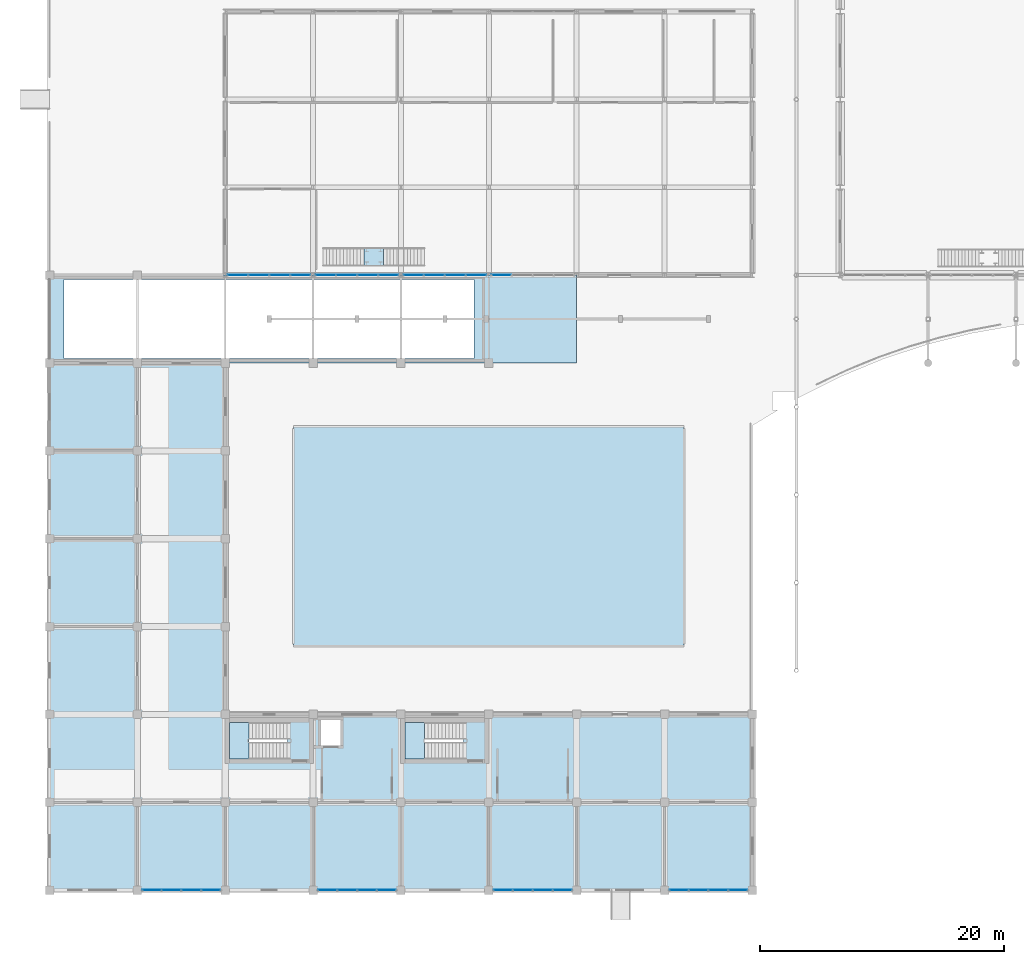
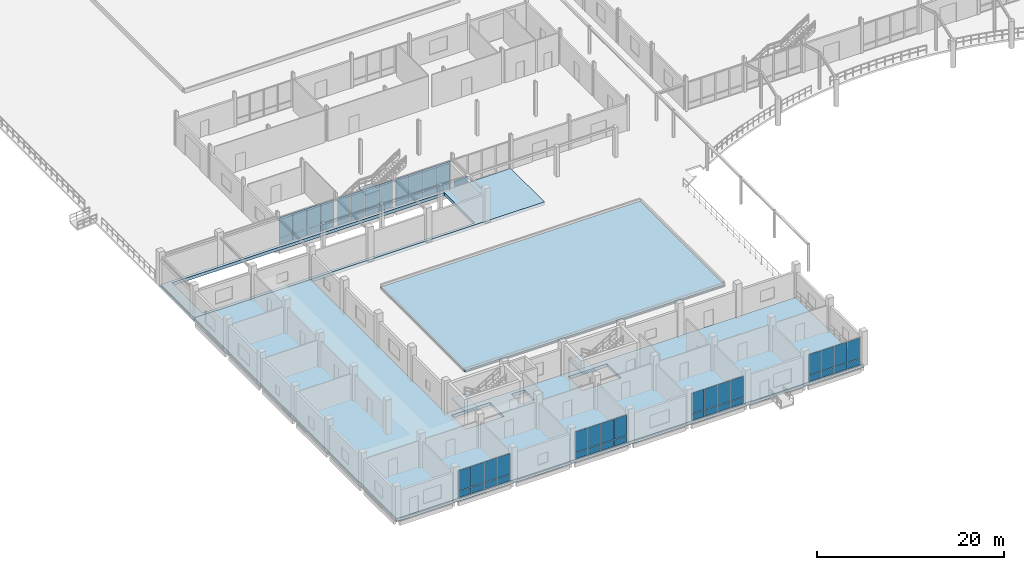
# One storey, part 101 of 139: 57 plates, 6 slabs, 11 elements without a shape of their own.
"""IFC4 building model written with IfcOpenShell, lengths in metres."""

from ifc_helpers import new_model, si_unit, direction, frame, origin, origin_2d, place, context, subcontext, project, spatial, polyline, rectangle, outline, extrude, material, layer, layer_set, type_object, element, aggregate, save


model = new_model("IFC4")

# Units and contexts
model_context = context("Model", 3, precision=1e-05, world=origin(), true_north=direction((0.0, 1.0)))
body_context = subcontext(model_context, "Body", "Model", "MODEL_VIEW")
ifc_project = project(units=[si_unit("LENGTHUNIT", "METRE"), si_unit("AREAUNIT", "SQUARE_METRE"), si_unit("VOLUMEUNIT", "CUBIC_METRE"), si_unit("PLANEANGLEUNIT", "RADIAN"), si_unit("MASSUNIT", "GRAM", prefix="KILO")], contexts=[model_context])

# Site, building, storey
site_placement = place(None, origin())
site = spatial("IfcSite", under=ifc_project, at=site_placement, CompositionType="ELEMENT")
building_placement = place(site_placement, origin())
building = spatial("IfcBuilding", under=site, at=building_placement, Name="Suanplinth Sawtooth Commons", CompositionType="ELEMENT")
storey_placement = place(building_placement, origin())
storey = spatial("IfcBuildingStorey", under=building, at=storey_placement, Name="L00", CompositionType="ELEMENT", Elevation=0.0)

# Curtain wall, plates
ifc_material_1 = material(Name="Anodized aluminium and low-E glazing", Category="aluminium")
curtain_wall_type_1 = type_object("IfcCurtainWallType", Name="CW-02", PredefinedType="USERDEFINED", material=ifc_material_1)
curtain_wall_1_placement = place(storey_placement, origin())
curtain_wall_1 = element("IfcCurtainWall", 1, at=curtain_wall_1_placement, inside=storey, type_object=curtain_wall_type_1, Name="Curtain Wall CW-L00-MKT-S-2", ObjectType="CURTAIN WALL", PredefinedType="USERDEFINED")
ifc_material_2 = material(Name="Tempered low-E double glazing", Category="glass")
ifc_layer_1 = layer(ifc_material_2, 0.028076171875, Name="Vision low-E insulated glazing unit 28mm")
ifc_layer_set_1 = layer_set([ifc_layer_1], Name="Tempered low-E double glazing")
plate_type = type_object("IfcPlateType", Name="PL-05", PredefinedType="CURTAIN_PANEL", material=ifc_layer_set_1)
plate_1_placement = place(storey_placement, frame((15.4287109375, 50.39990234375, 0.06494140625), z_axis=(0.0, 0.0, 1.0), x_axis=(1.0, 0.0, 0.0)))
plate_1 = element("IfcPlate", 2, at=plate_1_placement, type_object=plate_type, Name="CW-02 panel 1.1", PredefinedType="CURTAIN_PANEL", context=body_context, shape_type="SweptSolid", body=[
    extrude(rectangle(XDim=1.62744140625, YDim=0.028076171875, at=origin_2d()), origin(), (0.0, 0.0, 1.0), 0.802490234375),
])
plate_2_placement = place(storey_placement, frame((15.4287109375, 50.39990234375, 0.9326171875), z_axis=(0.0, 0.0, 1.0), x_axis=(1.0, 0.0, 0.0)))
plate_2 = element("IfcPlate", 3, at=plate_2_placement, type_object=plate_type, Name="CW-02 panel 1.2", PredefinedType="CURTAIN_PANEL", context=body_context, shape_type="SweptSolid", body=[
    extrude(rectangle(XDim=1.62744140625, YDim=0.028076171875, at=origin_2d()), origin(), (0.0, 0.0, 1.0), 2.652587890625),
])
plate_3_placement = place(storey_placement, frame((17.137451171875, 50.39990234375, 0.06494140625), z_axis=(0.0, 0.0, 1.0), x_axis=(1.0, 0.0, 0.0)))
plate_3 = element("IfcPlate", 4, at=plate_3_placement, type_object=plate_type, Name="CW-02 panel 2.1", PredefinedType="CURTAIN_PANEL", context=body_context, shape_type="SweptSolid", body=[
    extrude(rectangle(XDim=1.659912109375, YDim=0.028076171875, at=origin_2d()), origin(), (0.0, 0.0, 1.0), 0.802490234375),
])
plate_4_placement = place(storey_placement, frame((17.137451171875, 50.39990234375, 0.9326171875), z_axis=(0.0, 0.0, 1.0), x_axis=(1.0, 0.0, 0.0)))
plate_4 = element("IfcPlate", 5, at=plate_4_placement, type_object=plate_type, Name="CW-02 panel 2.2", PredefinedType="CURTAIN_PANEL", context=body_context, shape_type="SweptSolid", body=[
    extrude(rectangle(XDim=1.659912109375, YDim=0.028076171875, at=origin_2d()), origin(), (0.0, 0.0, 1.0), 2.652587890625),
])
plate_5_placement = place(storey_placement, frame((18.862548828125, 50.39990234375, 0.06494140625), z_axis=(0.0, 0.0, 1.0), x_axis=(1.0, 0.0, 0.0)))
plate_5 = element("IfcPlate", 6, at=plate_5_placement, type_object=plate_type, Name="CW-02 panel 3.1", PredefinedType="CURTAIN_PANEL", context=body_context, shape_type="SweptSolid", body=[
    extrude(rectangle(XDim=1.659912109375, YDim=0.028076171875, at=origin_2d()), origin(), (0.0, 0.0, 1.0), 0.802490234375),
])
plate_6_placement = place(storey_placement, frame((18.862548828125, 50.39990234375, 0.9326171875), z_axis=(0.0, 0.0, 1.0), x_axis=(1.0, 0.0, 0.0)))
plate_6 = element("IfcPlate", 7, at=plate_6_placement, type_object=plate_type, Name="CW-02 panel 3.2", PredefinedType="CURTAIN_PANEL", context=body_context, shape_type="SweptSolid", body=[
    extrude(rectangle(XDim=1.659912109375, YDim=0.028076171875, at=origin_2d()), origin(), (0.0, 0.0, 1.0), 2.652587890625),
])
plate_7_placement = place(storey_placement, frame((20.5712890625, 50.39990234375, 0.06494140625), z_axis=(0.0, 0.0, 1.0), x_axis=(1.0, 0.0, 0.0)))
plate_7 = element("IfcPlate", 8, at=plate_7_placement, type_object=plate_type, Name="CW-02 panel 4.1", PredefinedType="CURTAIN_PANEL", context=body_context, shape_type="SweptSolid", body=[
    extrude(rectangle(XDim=1.62744140625, YDim=0.028076171875, at=origin_2d()), origin(), (0.0, 0.0, 1.0), 0.802490234375),
])
plate_8_placement = place(storey_placement, frame((20.5712890625, 50.39990234375, 0.9326171875), z_axis=(0.0, 0.0, 1.0), x_axis=(1.0, 0.0, 0.0)))
plate_8 = element("IfcPlate", 9, at=plate_8_placement, type_object=plate_type, Name="CW-02 panel 4.2", PredefinedType="CURTAIN_PANEL", context=body_context, shape_type="SweptSolid", body=[
    extrude(rectangle(XDim=1.62744140625, YDim=0.028076171875, at=origin_2d()), origin(), (0.0, 0.0, 1.0), 2.652587890625),
])
aggregate(curtain_wall_1, [plate_1, plate_2, plate_3, plate_4, plate_5, plate_6, plate_7, plate_8])

curtain_wall_2_placement = place(storey_placement, origin())
curtain_wall_2 = element("IfcCurtainWall", 10, at=curtain_wall_2_placement, inside=storey, type_object=curtain_wall_type_1, Name="Curtain Wall CW-L00-MKT-S-3", ObjectType="CURTAIN WALL", PredefinedType="USERDEFINED")
plate_9_placement = place(storey_placement, frame((22.628662109375, 50.39990234375, 0.06494140625), z_axis=(0.0, 0.0, 1.0), x_axis=(1.0, 0.0, 0.0)))
plate_9 = element("IfcPlate", 11, at=plate_9_placement, type_object=plate_type, Name="CW-02 panel 1.1", PredefinedType="CURTAIN_PANEL", context=body_context, shape_type="SweptSolid", body=[
    extrude(rectangle(XDim=1.62744140625, YDim=0.028076171875, at=origin_2d()), origin(), (0.0, 0.0, 1.0), 0.802490234375),
])
plate_10_placement = place(storey_placement, frame((22.628662109375, 50.39990234375, 0.9326171875), z_axis=(0.0, 0.0, 1.0), x_axis=(1.0, 0.0, 0.0)))
plate_10 = element("IfcPlate", 12, at=plate_10_placement, type_object=plate_type, Name="CW-02 panel 1.2", PredefinedType="CURTAIN_PANEL", context=body_context, shape_type="SweptSolid", body=[
    extrude(rectangle(XDim=1.62744140625, YDim=0.028076171875, at=origin_2d()), origin(), (0.0, 0.0, 1.0), 2.652587890625),
])
plate_11_placement = place(storey_placement, frame((24.33740234375, 50.39990234375, 0.06494140625), z_axis=(0.0, 0.0, 1.0), x_axis=(1.0, 0.0, 0.0)))
plate_11 = element("IfcPlate", 13, at=plate_11_placement, type_object=plate_type, Name="CW-02 panel 2.1", PredefinedType="CURTAIN_PANEL", context=body_context, shape_type="SweptSolid", body=[
    extrude(rectangle(XDim=1.659912109375, YDim=0.028076171875, at=origin_2d()), origin(), (0.0, 0.0, 1.0), 0.802490234375),
])
plate_12_placement = place(storey_placement, frame((24.33740234375, 50.39990234375, 0.9326171875), z_axis=(0.0, 0.0, 1.0), x_axis=(1.0, 0.0, 0.0)))
plate_12 = element("IfcPlate", 14, at=plate_12_placement, type_object=plate_type, Name="CW-02 panel 2.2", PredefinedType="CURTAIN_PANEL", context=body_context, shape_type="SweptSolid", body=[
    extrude(rectangle(XDim=1.659912109375, YDim=0.028076171875, at=origin_2d()), origin(), (0.0, 0.0, 1.0), 2.652587890625),
])
plate_13_placement = place(storey_placement, frame((26.0625, 50.39990234375, 0.06494140625), z_axis=(0.0, 0.0, 1.0), x_axis=(1.0, 0.0, 0.0)))
plate_13 = element("IfcPlate", 15, at=plate_13_placement, type_object=plate_type, Name="CW-02 panel 3.1", PredefinedType="CURTAIN_PANEL", context=body_context, shape_type="SweptSolid", body=[
    extrude(rectangle(XDim=1.659912109375, YDim=0.028076171875, at=origin_2d()), origin(), (0.0, 0.0, 1.0), 0.802490234375),
])
plate_14_placement = place(storey_placement, frame((26.0625, 50.39990234375, 0.9326171875), z_axis=(0.0, 0.0, 1.0), x_axis=(1.0, 0.0, 0.0)))
plate_14 = element("IfcPlate", 16, at=plate_14_placement, type_object=plate_type, Name="CW-02 panel 3.2", PredefinedType="CURTAIN_PANEL", context=body_context, shape_type="SweptSolid", body=[
    extrude(rectangle(XDim=1.659912109375, YDim=0.028076171875, at=origin_2d()), origin(), (0.0, 0.0, 1.0), 2.652587890625),
])
plate_15_placement = place(storey_placement, frame((27.771240234375, 50.39990234375, 0.06494140625), z_axis=(0.0, 0.0, 1.0), x_axis=(1.0, 0.0, 0.0)))
plate_15 = element("IfcPlate", 17, at=plate_15_placement, type_object=plate_type, Name="CW-02 panel 4.1", PredefinedType="CURTAIN_PANEL", context=body_context, shape_type="SweptSolid", body=[
    extrude(rectangle(XDim=1.62744140625, YDim=0.028076171875, at=origin_2d()), origin(), (0.0, 0.0, 1.0), 0.802490234375),
])
plate_16_placement = place(storey_placement, frame((27.771240234375, 50.39990234375, 0.9326171875), z_axis=(0.0, 0.0, 1.0), x_axis=(1.0, 0.0, 0.0)))
plate_16 = element("IfcPlate", 18, at=plate_16_placement, type_object=plate_type, Name="CW-02 panel 4.2", PredefinedType="CURTAIN_PANEL", context=body_context, shape_type="SweptSolid", body=[
    extrude(rectangle(XDim=1.62744140625, YDim=0.028076171875, at=origin_2d()), origin(), (0.0, 0.0, 1.0), 2.652587890625),
])
aggregate(curtain_wall_2, [plate_9, plate_10, plate_11, plate_12, plate_13, plate_14, plate_15, plate_16])

curtain_wall_3_placement = place(storey_placement, origin())
curtain_wall_3 = element("IfcCurtainWall", 19, at=curtain_wall_3_placement, inside=storey, type_object=curtain_wall_type_1, Name="Curtain Wall CW-L00-MKT-S-4", ObjectType="CURTAIN WALL", PredefinedType="USERDEFINED")
plate_17_placement = place(storey_placement, frame((29.828857421875, 50.39990234375, 0.06494140625), z_axis=(0.0, 0.0, 1.0), x_axis=(1.0, 0.0, 0.0)))
plate_17 = element("IfcPlate", 20, at=plate_17_placement, type_object=plate_type, Name="CW-02 panel 1.1", PredefinedType="CURTAIN_PANEL", context=body_context, shape_type="SweptSolid", body=[
    extrude(rectangle(XDim=1.62744140625, YDim=0.028076171875, at=origin_2d()), origin(), (0.0, 0.0, 1.0), 0.802490234375),
])
plate_18_placement = place(storey_placement, frame((29.828857421875, 50.39990234375, 0.9326171875), z_axis=(0.0, 0.0, 1.0), x_axis=(1.0, 0.0, 0.0)))
plate_18 = element("IfcPlate", 21, at=plate_18_placement, type_object=plate_type, Name="CW-02 panel 1.2", PredefinedType="CURTAIN_PANEL", context=body_context, shape_type="SweptSolid", body=[
    extrude(rectangle(XDim=1.62744140625, YDim=0.028076171875, at=origin_2d()), origin(), (0.0, 0.0, 1.0), 2.652587890625),
])
plate_19_placement = place(storey_placement, frame((31.53759765625, 50.39990234375, 0.06494140625), z_axis=(0.0, 0.0, 1.0), x_axis=(1.0, 0.0, 0.0)))
plate_19 = element("IfcPlate", 22, at=plate_19_placement, type_object=plate_type, Name="CW-02 panel 2.1", PredefinedType="CURTAIN_PANEL", context=body_context, shape_type="SweptSolid", body=[
    extrude(rectangle(XDim=1.659912109375, YDim=0.028076171875, at=origin_2d()), origin(), (0.0, 0.0, 1.0), 0.802490234375),
])
plate_20_placement = place(storey_placement, frame((31.53759765625, 50.39990234375, 0.9326171875), z_axis=(0.0, 0.0, 1.0), x_axis=(1.0, 0.0, 0.0)))
plate_20 = element("IfcPlate", 23, at=plate_20_placement, type_object=plate_type, Name="CW-02 panel 2.2", PredefinedType="CURTAIN_PANEL", context=body_context, shape_type="SweptSolid", body=[
    extrude(rectangle(XDim=1.659912109375, YDim=0.028076171875, at=origin_2d()), origin(), (0.0, 0.0, 1.0), 2.652587890625),
])
plate_21_placement = place(storey_placement, frame((33.262451171875, 50.39990234375, 0.06494140625), z_axis=(0.0, 0.0, 1.0), x_axis=(1.0, 0.0, 0.0)))
plate_21 = element("IfcPlate", 24, at=plate_21_placement, type_object=plate_type, Name="CW-02 panel 3.1", PredefinedType="CURTAIN_PANEL", context=body_context, shape_type="SweptSolid", body=[
    extrude(rectangle(XDim=1.659912109375, YDim=0.028076171875, at=origin_2d()), origin(), (0.0, 0.0, 1.0), 0.802490234375),
])
plate_22_placement = place(storey_placement, frame((33.262451171875, 50.39990234375, 0.9326171875), z_axis=(0.0, 0.0, 1.0), x_axis=(1.0, 0.0, 0.0)))
plate_22 = element("IfcPlate", 25, at=plate_22_placement, type_object=plate_type, Name="CW-02 panel 3.2", PredefinedType="CURTAIN_PANEL", context=body_context, shape_type="SweptSolid", body=[
    extrude(rectangle(XDim=1.659912109375, YDim=0.028076171875, at=origin_2d()), origin(), (0.0, 0.0, 1.0), 2.652587890625),
])
plate_23_placement = place(storey_placement, frame((34.97119140625, 50.39990234375, 0.06494140625), z_axis=(0.0, 0.0, 1.0), x_axis=(1.0, 0.0, 0.0)))
plate_23 = element("IfcPlate", 26, at=plate_23_placement, type_object=plate_type, Name="CW-02 panel 4.1", PredefinedType="CURTAIN_PANEL", context=body_context, shape_type="SweptSolid", body=[
    extrude(rectangle(XDim=1.62744140625, YDim=0.028076171875, at=origin_2d()), origin(), (0.0, 0.0, 1.0), 0.802490234375),
])
plate_24_placement = place(storey_placement, frame((34.97119140625, 50.39990234375, 0.9326171875), z_axis=(0.0, 0.0, 1.0), x_axis=(1.0, 0.0, 0.0)))
plate_24 = element("IfcPlate", 27, at=plate_24_placement, type_object=plate_type, Name="CW-02 panel 4.2", PredefinedType="CURTAIN_PANEL", context=body_context, shape_type="SweptSolid", body=[
    extrude(rectangle(XDim=1.62744140625, YDim=0.028076171875, at=origin_2d()), origin(), (0.0, 0.0, 1.0), 2.652587890625),
])
aggregate(curtain_wall_3, [plate_17, plate_18, plate_19, plate_20, plate_21, plate_22, plate_23, plate_24])

# Curtain wall, plate
curtain_wall_4_placement = place(storey_placement, origin())
curtain_wall_4 = element("IfcCurtainWall", 28, at=curtain_wall_4_placement, inside=storey, type_object=curtain_wall_type_1, Name="Curtain Wall CW-L00-MKT-S-5", ObjectType="CURTAIN WALL", PredefinedType="USERDEFINED")
plate_25_placement = place(storey_placement, frame((37.02880859375, 50.39990234375, 0.06494140625), z_axis=(0.0, 0.0, 1.0), x_axis=(1.0, 0.0, 0.0)))
plate_25 = element("IfcPlate", 29, at=plate_25_placement, type_object=plate_type, Name="CW-02 panel 1.1", PredefinedType="CURTAIN_PANEL", context=body_context, shape_type="SweptSolid", body=[
    extrude(rectangle(XDim=1.62744140625, YDim=0.028076171875, at=origin_2d()), origin(), (0.0, 0.0, 1.0), 0.802490234375),
])
aggregate(curtain_wall_4, [plate_25])

# Curtain wall, plates
curtain_wall_type_2 = type_object("IfcCurtainWallType", Name="CW-04", PredefinedType="USERDEFINED", material=ifc_material_1)
curtain_wall_5_placement = place(storey_placement, origin())
curtain_wall_5 = element("IfcCurtainWall", 30, at=curtain_wall_5_placement, inside=storey, type_object=curtain_wall_type_2, Name="Curtain Wall CW-L00-D-S-1", ObjectType="CURTAIN WALL", PredefinedType="USERDEFINED")
plate_26_placement = place(storey_placement, frame((8.378662109375, 0.0, 0.06494140625), z_axis=(0.0, 0.0, 1.0), x_axis=(1.0, 0.0, 0.0)))
plate_26 = element("IfcPlate", 31, at=plate_26_placement, type_object=plate_type, Name="CW-04 panel 1.1", PredefinedType="CURTAIN_PANEL", context=body_context, shape_type="SweptSolid", body=[
    extrude(rectangle(XDim=1.527587890625, YDim=0.028076171875, at=origin_2d()), origin(), (0.0, 0.0, 1.0), 0.802490234375),
])
plate_27_placement = place(storey_placement, frame((8.378662109375, 0.0, 0.932373046875), z_axis=(0.0, 0.0, 1.0), x_axis=(1.0, 0.0, 0.0)))
plate_27 = element("IfcPlate", 32, at=plate_27_placement, type_object=plate_type, Name="CW-04 panel 1.2", PredefinedType="CURTAIN_PANEL", context=body_context, shape_type="SweptSolid", body=[
    extrude(rectangle(XDim=1.527587890625, YDim=0.028076171875, at=origin_2d()), origin(), (0.0, 0.0, 1.0), 2.6826171875),
])
plate_28_placement = place(storey_placement, frame((9.987548828125, 0.0, 0.06494140625), z_axis=(0.0, 0.0, 1.0), x_axis=(1.0, 0.0, 0.0)))
plate_28 = element("IfcPlate", 33, at=plate_28_placement, type_object=plate_type, Name="CW-04 panel 2.1", PredefinedType="CURTAIN_PANEL", context=body_context, shape_type="SweptSolid", body=[
    extrude(rectangle(XDim=1.56005859375, YDim=0.028076171875, at=origin_2d()), origin(), (0.0, 0.0, 1.0), 0.802490234375),
])
plate_29_placement = place(storey_placement, frame((9.987548828125, 0.0, 0.932373046875), z_axis=(0.0, 0.0, 1.0), x_axis=(1.0, 0.0, 0.0)))
plate_29 = element("IfcPlate", 34, at=plate_29_placement, type_object=plate_type, Name="CW-04 panel 2.2", PredefinedType="CURTAIN_PANEL", context=body_context, shape_type="SweptSolid", body=[
    extrude(rectangle(XDim=1.56005859375, YDim=0.028076171875, at=origin_2d()), origin(), (0.0, 0.0, 1.0), 2.6826171875),
])
plate_30_placement = place(storey_placement, frame((11.612548828125, 0.0, 0.06494140625), z_axis=(0.0, 0.0, 1.0), x_axis=(1.0, 0.0, 0.0)))
plate_30 = element("IfcPlate", 35, at=plate_30_placement, type_object=plate_type, Name="CW-04 panel 3.1", PredefinedType="CURTAIN_PANEL", context=body_context, shape_type="SweptSolid", body=[
    extrude(rectangle(XDim=1.56005859375, YDim=0.028076171875, at=origin_2d()), origin(), (0.0, 0.0, 1.0), 0.802490234375),
])
plate_31_placement = place(storey_placement, frame((11.612548828125, 0.0, 0.932373046875), z_axis=(0.0, 0.0, 1.0), x_axis=(1.0, 0.0, 0.0)))
plate_31 = element("IfcPlate", 36, at=plate_31_placement, type_object=plate_type, Name="CW-04 panel 3.2", PredefinedType="CURTAIN_PANEL", context=body_context, shape_type="SweptSolid", body=[
    extrude(rectangle(XDim=1.56005859375, YDim=0.028076171875, at=origin_2d()), origin(), (0.0, 0.0, 1.0), 2.6826171875),
])
plate_32_placement = place(storey_placement, frame((13.22119140625, 0.0, 0.06494140625), z_axis=(0.0, 0.0, 1.0), x_axis=(1.0, 0.0, 0.0)))
plate_32 = element("IfcPlate", 37, at=plate_32_placement, type_object=plate_type, Name="CW-04 panel 4.1", PredefinedType="CURTAIN_PANEL", context=body_context, shape_type="SweptSolid", body=[
    extrude(rectangle(XDim=1.527587890625, YDim=0.028076171875, at=origin_2d()), origin(), (0.0, 0.0, 1.0), 0.802490234375),
])
plate_33_placement = place(storey_placement, frame((13.22119140625, 0.0, 0.932373046875), z_axis=(0.0, 0.0, 1.0), x_axis=(1.0, 0.0, 0.0)))
plate_33 = element("IfcPlate", 38, at=plate_33_placement, type_object=plate_type, Name="CW-04 panel 4.2", PredefinedType="CURTAIN_PANEL", context=body_context, shape_type="SweptSolid", body=[
    extrude(rectangle(XDim=1.527587890625, YDim=0.028076171875, at=origin_2d()), origin(), (0.0, 0.0, 1.0), 2.6826171875),
])
aggregate(curtain_wall_5, [plate_26, plate_27, plate_28, plate_29, plate_30, plate_31, plate_32, plate_33])

curtain_wall_6_placement = place(storey_placement, origin())
curtain_wall_6 = element("IfcCurtainWall", 39, at=curtain_wall_6_placement, inside=storey, type_object=curtain_wall_type_2, Name="Curtain Wall CW-L00-D-S-3", ObjectType="CURTAIN WALL", PredefinedType="USERDEFINED")
plate_34_placement = place(storey_placement, frame((22.77880859375, 0.0, 0.06494140625), z_axis=(0.0, 0.0, 1.0), x_axis=(1.0, 0.0, 0.0)))
plate_34 = element("IfcPlate", 40, at=plate_34_placement, type_object=plate_type, Name="CW-04 panel 1.1", PredefinedType="CURTAIN_PANEL", context=body_context, shape_type="SweptSolid", body=[
    extrude(rectangle(XDim=1.527587890625, YDim=0.028076171875, at=origin_2d()), origin(), (0.0, 0.0, 1.0), 0.802490234375),
])
plate_35_placement = place(storey_placement, frame((22.77880859375, 0.0, 0.932373046875), z_axis=(0.0, 0.0, 1.0), x_axis=(1.0, 0.0, 0.0)))
plate_35 = element("IfcPlate", 41, at=plate_35_placement, type_object=plate_type, Name="CW-04 panel 1.2", PredefinedType="CURTAIN_PANEL", context=body_context, shape_type="SweptSolid", body=[
    extrude(rectangle(XDim=1.527587890625, YDim=0.028076171875, at=origin_2d()), origin(), (0.0, 0.0, 1.0), 2.6826171875),
])
plate_36_placement = place(storey_placement, frame((24.387451171875, 0.0, 0.06494140625), z_axis=(0.0, 0.0, 1.0), x_axis=(1.0, 0.0, 0.0)))
plate_36 = element("IfcPlate", 42, at=plate_36_placement, type_object=plate_type, Name="CW-04 panel 2.1", PredefinedType="CURTAIN_PANEL", context=body_context, shape_type="SweptSolid", body=[
    extrude(rectangle(XDim=1.56005859375, YDim=0.028076171875, at=origin_2d()), origin(), (0.0, 0.0, 1.0), 0.802490234375),
])
plate_37_placement = place(storey_placement, frame((24.387451171875, 0.0, 0.932373046875), z_axis=(0.0, 0.0, 1.0), x_axis=(1.0, 0.0, 0.0)))
plate_37 = element("IfcPlate", 43, at=plate_37_placement, type_object=plate_type, Name="CW-04 panel 2.2", PredefinedType="CURTAIN_PANEL", context=body_context, shape_type="SweptSolid", body=[
    extrude(rectangle(XDim=1.56005859375, YDim=0.028076171875, at=origin_2d()), origin(), (0.0, 0.0, 1.0), 2.6826171875),
])
plate_38_placement = place(storey_placement, frame((26.012451171875, 0.0, 0.06494140625), z_axis=(0.0, 0.0, 1.0), x_axis=(1.0, 0.0, 0.0)))
plate_38 = element("IfcPlate", 44, at=plate_38_placement, type_object=plate_type, Name="CW-04 panel 3.1", PredefinedType="CURTAIN_PANEL", context=body_context, shape_type="SweptSolid", body=[
    extrude(rectangle(XDim=1.56005859375, YDim=0.028076171875, at=origin_2d()), origin(), (0.0, 0.0, 1.0), 0.802490234375),
])
plate_39_placement = place(storey_placement, frame((26.012451171875, 0.0, 0.932373046875), z_axis=(0.0, 0.0, 1.0), x_axis=(1.0, 0.0, 0.0)))
plate_39 = element("IfcPlate", 45, at=plate_39_placement, type_object=plate_type, Name="CW-04 panel 3.2", PredefinedType="CURTAIN_PANEL", context=body_context, shape_type="SweptSolid", body=[
    extrude(rectangle(XDim=1.56005859375, YDim=0.028076171875, at=origin_2d()), origin(), (0.0, 0.0, 1.0), 2.6826171875),
])
plate_40_placement = place(storey_placement, frame((27.621337890625, 0.0, 0.06494140625), z_axis=(0.0, 0.0, 1.0), x_axis=(1.0, 0.0, 0.0)))
plate_40 = element("IfcPlate", 46, at=plate_40_placement, type_object=plate_type, Name="CW-04 panel 4.1", PredefinedType="CURTAIN_PANEL", context=body_context, shape_type="SweptSolid", body=[
    extrude(rectangle(XDim=1.527587890625, YDim=0.028076171875, at=origin_2d()), origin(), (0.0, 0.0, 1.0), 0.802490234375),
])
plate_41_placement = place(storey_placement, frame((27.621337890625, 0.0, 0.932373046875), z_axis=(0.0, 0.0, 1.0), x_axis=(1.0, 0.0, 0.0)))
plate_41 = element("IfcPlate", 47, at=plate_41_placement, type_object=plate_type, Name="CW-04 panel 4.2", PredefinedType="CURTAIN_PANEL", context=body_context, shape_type="SweptSolid", body=[
    extrude(rectangle(XDim=1.527587890625, YDim=0.028076171875, at=origin_2d()), origin(), (0.0, 0.0, 1.0), 2.6826171875),
])
aggregate(curtain_wall_6, [plate_34, plate_35, plate_36, plate_37, plate_38, plate_39, plate_40, plate_41])

curtain_wall_7_placement = place(storey_placement, origin())
curtain_wall_7 = element("IfcCurtainWall", 48, at=curtain_wall_7_placement, inside=storey, type_object=curtain_wall_type_2, Name="Curtain Wall CW-L00-D-S-5", ObjectType="CURTAIN WALL", PredefinedType="USERDEFINED")
plate_42_placement = place(storey_placement, frame((37.1787109375, 0.0, 0.06494140625), z_axis=(0.0, 0.0, 1.0), x_axis=(1.0, 0.0, 0.0)))
plate_42 = element("IfcPlate", 49, at=plate_42_placement, type_object=plate_type, Name="CW-04 panel 1.1", PredefinedType="CURTAIN_PANEL", context=body_context, shape_type="SweptSolid", body=[
    extrude(rectangle(XDim=1.527587890625, YDim=0.028076171875, at=origin_2d()), origin(), (0.0, 0.0, 1.0), 0.802490234375),
])
plate_43_placement = place(storey_placement, frame((37.1787109375, 0.0, 0.932373046875), z_axis=(0.0, 0.0, 1.0), x_axis=(1.0, 0.0, 0.0)))
plate_43 = element("IfcPlate", 50, at=plate_43_placement, type_object=plate_type, Name="CW-04 panel 1.2", PredefinedType="CURTAIN_PANEL", context=body_context, shape_type="SweptSolid", body=[
    extrude(rectangle(XDim=1.527587890625, YDim=0.028076171875, at=origin_2d()), origin(), (0.0, 0.0, 1.0), 2.6826171875),
])
plate_44_placement = place(storey_placement, frame((38.78759765625, 0.0, 0.06494140625), z_axis=(0.0, 0.0, 1.0), x_axis=(1.0, 0.0, 0.0)))
plate_44 = element("IfcPlate", 51, at=plate_44_placement, type_object=plate_type, Name="CW-04 panel 2.1", PredefinedType="CURTAIN_PANEL", context=body_context, shape_type="SweptSolid", body=[
    extrude(rectangle(XDim=1.56005859375, YDim=0.028076171875, at=origin_2d()), origin(), (0.0, 0.0, 1.0), 0.802490234375),
])
plate_45_placement = place(storey_placement, frame((38.78759765625, 0.0, 0.932373046875), z_axis=(0.0, 0.0, 1.0), x_axis=(1.0, 0.0, 0.0)))
plate_45 = element("IfcPlate", 52, at=plate_45_placement, type_object=plate_type, Name="CW-04 panel 2.2", PredefinedType="CURTAIN_PANEL", context=body_context, shape_type="SweptSolid", body=[
    extrude(rectangle(XDim=1.56005859375, YDim=0.028076171875, at=origin_2d()), origin(), (0.0, 0.0, 1.0), 2.6826171875),
])
plate_46_placement = place(storey_placement, frame((40.41259765625, 0.0, 0.06494140625), z_axis=(0.0, 0.0, 1.0), x_axis=(1.0, 0.0, 0.0)))
plate_46 = element("IfcPlate", 53, at=plate_46_placement, type_object=plate_type, Name="CW-04 panel 3.1", PredefinedType="CURTAIN_PANEL", context=body_context, shape_type="SweptSolid", body=[
    extrude(rectangle(XDim=1.56005859375, YDim=0.028076171875, at=origin_2d()), origin(), (0.0, 0.0, 1.0), 0.802490234375),
])
plate_47_placement = place(storey_placement, frame((40.41259765625, 0.0, 0.932373046875), z_axis=(0.0, 0.0, 1.0), x_axis=(1.0, 0.0, 0.0)))
plate_47 = element("IfcPlate", 54, at=plate_47_placement, type_object=plate_type, Name="CW-04 panel 3.2", PredefinedType="CURTAIN_PANEL", context=body_context, shape_type="SweptSolid", body=[
    extrude(rectangle(XDim=1.56005859375, YDim=0.028076171875, at=origin_2d()), origin(), (0.0, 0.0, 1.0), 2.6826171875),
])
plate_48_placement = place(storey_placement, frame((42.021240234375, 0.0, 0.06494140625), z_axis=(0.0, 0.0, 1.0), x_axis=(1.0, 0.0, 0.0)))
plate_48 = element("IfcPlate", 55, at=plate_48_placement, type_object=plate_type, Name="CW-04 panel 4.1", PredefinedType="CURTAIN_PANEL", context=body_context, shape_type="SweptSolid", body=[
    extrude(rectangle(XDim=1.527587890625, YDim=0.028076171875, at=origin_2d()), origin(), (0.0, 0.0, 1.0), 0.802490234375),
])
plate_49_placement = place(storey_placement, frame((42.021240234375, 0.0, 0.932373046875), z_axis=(0.0, 0.0, 1.0), x_axis=(1.0, 0.0, 0.0)))
plate_49 = element("IfcPlate", 56, at=plate_49_placement, type_object=plate_type, Name="CW-04 panel 4.2", PredefinedType="CURTAIN_PANEL", context=body_context, shape_type="SweptSolid", body=[
    extrude(rectangle(XDim=1.527587890625, YDim=0.028076171875, at=origin_2d()), origin(), (0.0, 0.0, 1.0), 2.6826171875),
])
aggregate(curtain_wall_7, [plate_42, plate_43, plate_44, plate_45, plate_46, plate_47, plate_48, plate_49])

curtain_wall_8_placement = place(storey_placement, origin())
curtain_wall_8 = element("IfcCurtainWall", 57, at=curtain_wall_8_placement, inside=storey, type_object=curtain_wall_type_2, Name="Curtain Wall CW-L00-D-S-7", ObjectType="CURTAIN WALL", PredefinedType="USERDEFINED")
plate_50_placement = place(storey_placement, frame((51.578857421875, 0.0, 0.06494140625), z_axis=(0.0, 0.0, 1.0), x_axis=(1.0, 0.0, 0.0)))
plate_50 = element("IfcPlate", 58, at=plate_50_placement, type_object=plate_type, Name="CW-04 panel 1.1", PredefinedType="CURTAIN_PANEL", context=body_context, shape_type="SweptSolid", body=[
    extrude(rectangle(XDim=1.527587890625, YDim=0.028076171875, at=origin_2d()), origin(), (0.0, 0.0, 1.0), 0.802490234375),
])
plate_51_placement = place(storey_placement, frame((51.578857421875, 0.0, 0.932373046875), z_axis=(0.0, 0.0, 1.0), x_axis=(1.0, 0.0, 0.0)))
plate_51 = element("IfcPlate", 59, at=plate_51_placement, type_object=plate_type, Name="CW-04 panel 1.2", PredefinedType="CURTAIN_PANEL", context=body_context, shape_type="SweptSolid", body=[
    extrude(rectangle(XDim=1.527587890625, YDim=0.028076171875, at=origin_2d()), origin(), (0.0, 0.0, 1.0), 2.6826171875),
])
plate_52_placement = place(storey_placement, frame((53.1875, 0.0, 0.06494140625), z_axis=(0.0, 0.0, 1.0), x_axis=(1.0, 0.0, 0.0)))
plate_52 = element("IfcPlate", 60, at=plate_52_placement, type_object=plate_type, Name="CW-04 panel 2.1", PredefinedType="CURTAIN_PANEL", context=body_context, shape_type="SweptSolid", body=[
    extrude(rectangle(XDim=1.56005859375, YDim=0.028076171875, at=origin_2d()), origin(), (0.0, 0.0, 1.0), 0.802490234375),
])
plate_53_placement = place(storey_placement, frame((53.1875, 0.0, 0.932373046875), z_axis=(0.0, 0.0, 1.0), x_axis=(1.0, 0.0, 0.0)))
plate_53 = element("IfcPlate", 61, at=plate_53_placement, type_object=plate_type, Name="CW-04 panel 2.2", PredefinedType="CURTAIN_PANEL", context=body_context, shape_type="SweptSolid", body=[
    extrude(rectangle(XDim=1.56005859375, YDim=0.028076171875, at=origin_2d()), origin(), (0.0, 0.0, 1.0), 2.6826171875),
])
plate_54_placement = place(storey_placement, frame((54.8125, 0.0, 0.06494140625), z_axis=(0.0, 0.0, 1.0), x_axis=(1.0, 0.0, 0.0)))
plate_54 = element("IfcPlate", 62, at=plate_54_placement, type_object=plate_type, Name="CW-04 panel 3.1", PredefinedType="CURTAIN_PANEL", context=body_context, shape_type="SweptSolid", body=[
    extrude(rectangle(XDim=1.56005859375, YDim=0.028076171875, at=origin_2d()), origin(), (0.0, 0.0, 1.0), 0.802490234375),
])
plate_55_placement = place(storey_placement, frame((54.8125, 0.0, 0.932373046875), z_axis=(0.0, 0.0, 1.0), x_axis=(1.0, 0.0, 0.0)))
plate_55 = element("IfcPlate", 63, at=plate_55_placement, type_object=plate_type, Name="CW-04 panel 3.2", PredefinedType="CURTAIN_PANEL", context=body_context, shape_type="SweptSolid", body=[
    extrude(rectangle(XDim=1.56005859375, YDim=0.028076171875, at=origin_2d()), origin(), (0.0, 0.0, 1.0), 2.6826171875),
])
plate_56_placement = place(storey_placement, frame((56.421142578125, 0.0, 0.06494140625), z_axis=(0.0, 0.0, 1.0), x_axis=(1.0, 0.0, 0.0)))
plate_56 = element("IfcPlate", 64, at=plate_56_placement, type_object=plate_type, Name="CW-04 panel 4.1", PredefinedType="CURTAIN_PANEL", context=body_context, shape_type="SweptSolid", body=[
    extrude(rectangle(XDim=1.527587890625, YDim=0.028076171875, at=origin_2d()), origin(), (0.0, 0.0, 1.0), 0.802490234375),
])
plate_57_placement = place(storey_placement, frame((56.421142578125, 0.0, 0.932373046875), z_axis=(0.0, 0.0, 1.0), x_axis=(1.0, 0.0, 0.0)))
plate_57 = element("IfcPlate", 65, at=plate_57_placement, type_object=plate_type, Name="CW-04 panel 4.2", PredefinedType="CURTAIN_PANEL", context=body_context, shape_type="SweptSolid", body=[
    extrude(rectangle(XDim=1.527587890625, YDim=0.028076171875, at=origin_2d()), origin(), (0.0, 0.0, 1.0), 2.6826171875),
])
aggregate(curtain_wall_8, [plate_50, plate_51, plate_52, plate_53, plate_54, plate_55, plate_56, plate_57])

# Stair, slab
ifc_material_3 = material(Name="Concrete C40/50", Category="concrete")
stair_type_1 = type_object("IfcStairType", Name="ST-06", PredefinedType="USERDEFINED", material=ifc_material_3)
stair_1_placement = place(storey_placement, origin())
stair_1 = element("IfcStair", 66, at=stair_1_placement, inside=storey, type_object=stair_type_1, Name="L00 Exit Stair ST-W1", ObjectType="TWO_RETURN_STAIR", PredefinedType="USERDEFINED")
ifc_layer_2 = layer(ifc_material_3, 0.199951171875, Name="Reinforced concrete stair and ramp landing slab 200mm")
ifc_layer_set_2 = layer_set([ifc_layer_2], Name="Concrete C40/50")
slab_type_1 = type_object("IfcSlabType", Name="S-LD01", PredefinedType="LANDING", material=ifc_layer_set_2)
slab_1_placement = place(storey_placement, frame((0.0, 0.0, 2.050048828125)))
slab_1 = element("IfcSlab", 67, at=slab_1_placement, type_object=slab_type_1, Name="ST-06 landing 1", PredefinedType="LANDING", context=body_context, shape_type="SweptSolid", body=[
    extrude(outline(polyline([(16.330078125, 13.75), (14.75, 13.75), (14.75, 10.75), (16.330078125, 10.75), (16.330078125, 13.75)])), origin(), (0.0, 0.0, 1.0), 0.199951171875),
])
aggregate(stair_1, [slab_1])

stair_2_placement = place(storey_placement, origin())
stair_2 = element("IfcStair", 68, at=stair_2_placement, inside=storey, type_object=stair_type_1, Name="L00 Exit Stair ST-W2", ObjectType="TWO_RETURN_STAIR", PredefinedType="USERDEFINED")
slab_2_placement = place(storey_placement, frame((0.0, 0.0, 2.050048828125)))
slab_2 = element("IfcSlab", 69, at=slab_2_placement, type_object=slab_type_1, Name="ST-06 landing 1", PredefinedType="LANDING", context=body_context, shape_type="SweptSolid", body=[
    extrude(outline(polyline([(30.72998046875, 13.75), (29.14990234375, 13.75), (29.14990234375, 10.75), (30.72998046875, 10.75), (30.72998046875, 13.75)])), origin(), (0.0, 0.0, 1.0), 0.199951171875),
])
aggregate(stair_2, [slab_2])

stair_type_2 = type_object("IfcStairType", Name="ST-10", PredefinedType="STRAIGHT_RUN_STAIR", material=ifc_material_3)
stair_3_placement = place(storey_placement, origin())
stair_3 = element("IfcStair", 70, at=stair_3_placement, inside=storey, type_object=stair_type_2, Name="West Market Mezzanine Stair", PredefinedType="STRAIGHT_RUN_STAIR")
slab_3_placement = place(storey_placement, frame((0.0, 0.0, 2.050048828125)))
slab_3 = element("IfcSlab", 71, at=slab_3_placement, type_object=slab_type_1, Name="ST-10 landing 1", PredefinedType="LANDING", context=body_context, shape_type="SweptSolid", body=[
    extrude(outline(polyline([(25.760009765625, 51.14990234375), (27.360107421875, 51.14990234375), (27.360107421875, 52.64990234375), (25.760009765625, 52.64990234375), (25.760009765625, 51.14990234375)])), origin(), (0.0, 0.0, 1.0), 0.199951171875),
])
aggregate(stair_3, [slab_3])

# Slabs
ifc_layer_3 = layer(ifc_material_3, 0.409912109375, Name="Ground flood-plinth RC floor slab 410mm")
ifc_layer_set_3 = layer_set([ifc_layer_3], Name="Concrete C40/50")
slab_type_2 = type_object("IfcSlabType", Name="S-PL01", PredefinedType="FLOOR", material=ifc_layer_set_3)
slab_4_placement = place(storey_placement, frame((0.0, 0.0, -0.409912109375)))
element("IfcSlab", 72, at=slab_4_placement, inside=storey, type_object=slab_type_2, Name="L00 Block D Structural Floor Plate", PredefinedType="FLOOR", context=body_context, shape_type="SweptSolid", body=[
    extrude(outline(polyline([(0.0, 0.0), (0.0, 43.199951171875), (14.39990234375, 43.199951171875), (14.39990234375, 14.39990234375), (57.60009765625, 14.39990234375), (57.60009765625, 0.0), (0.0, 0.0)]), holes=[polyline([(14.75, 10.75), (19.510009765625, 10.75), (19.510009765625, 13.75), (14.75, 13.75), (14.75, 10.75)]), polyline([(22.25, 11.85009765625), (23.85009765625, 11.85009765625), (23.85009765625, 13.949951171875), (22.25, 13.949951171875), (22.25, 11.85009765625)]), polyline([(29.14990234375, 10.75), (33.909912109375, 10.75), (33.909912109375, 13.75), (29.14990234375, 13.75), (29.14990234375, 10.75)])]), origin(), (0.0, 0.0, 1.0), 0.409912109375),
])
slab_5_placement = place(storey_placement, frame((0.0, 0.0, -0.409912109375)))
element("IfcSlab", 73, at=slab_5_placement, inside=storey, type_object=slab_type_2, Name="L00 West Plinth Portal Threshold Floor Slab", PredefinedType="FLOOR", context=body_context, shape_type="SweptSolid", body=[
    extrude(outline(polyline([(0.0, 43.199951171875), (43.199951171875, 43.199951171875), (43.199951171875, 50.39990234375), (0.0, 50.39990234375), (0.0, 43.199951171875)]), holes=[polyline([(1.199951171875, 43.550048828125), (34.800048828125, 43.550048828125), (34.800048828125, 50.050048828125), (1.199951171875, 50.050048828125), (1.199951171875, 43.550048828125)])]), origin(), (0.0, 0.0, 1.0), 0.409912109375),
])
ifc_layer_4 = layer(ifc_material_3, 0.18994140625, Name="Courtyard tropical rain-garden bed slab 190mm")
ifc_layer_set_4 = layer_set([ifc_layer_4], Name="Concrete C40/50")
slab_type_3 = type_object("IfcSlabType", Name="S-TR02", PredefinedType="FLOOR", material=ifc_layer_set_4)
slab_6_placement = place(storey_placement, origin())
element("IfcSlab", 74, at=slab_6_placement, inside=storey, type_object=slab_type_3, Name="South-West Courtyard Monsoon Bioswale Garden", PredefinedType="FLOOR", context=body_context, shape_type="SweptSolid", body=[
    extrude(outline(polyline([(20.0, 20.0), (52.0, 20.0), (52.0, 38.0), (20.0, 38.0), (20.0, 20.0)])), origin(), (0.0, 0.0, 1.0), 0.18994140625),
])

save(model, "model.ifc")
